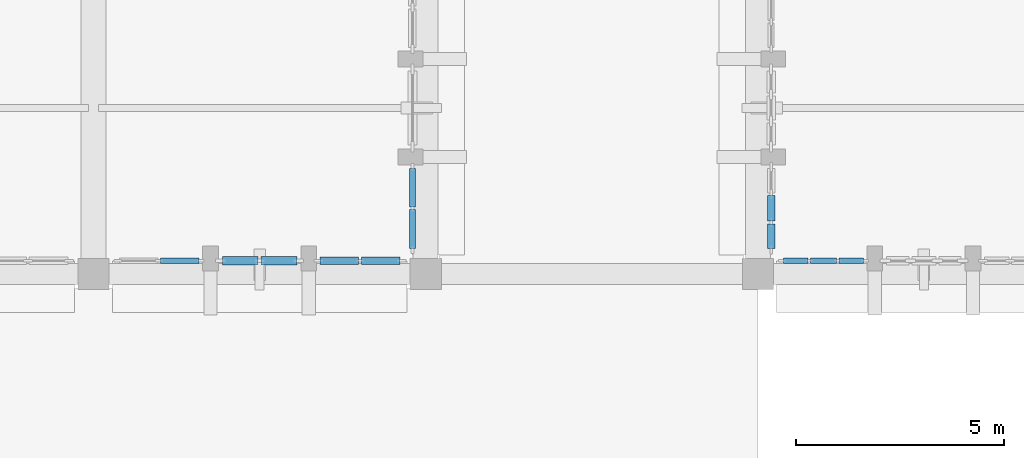
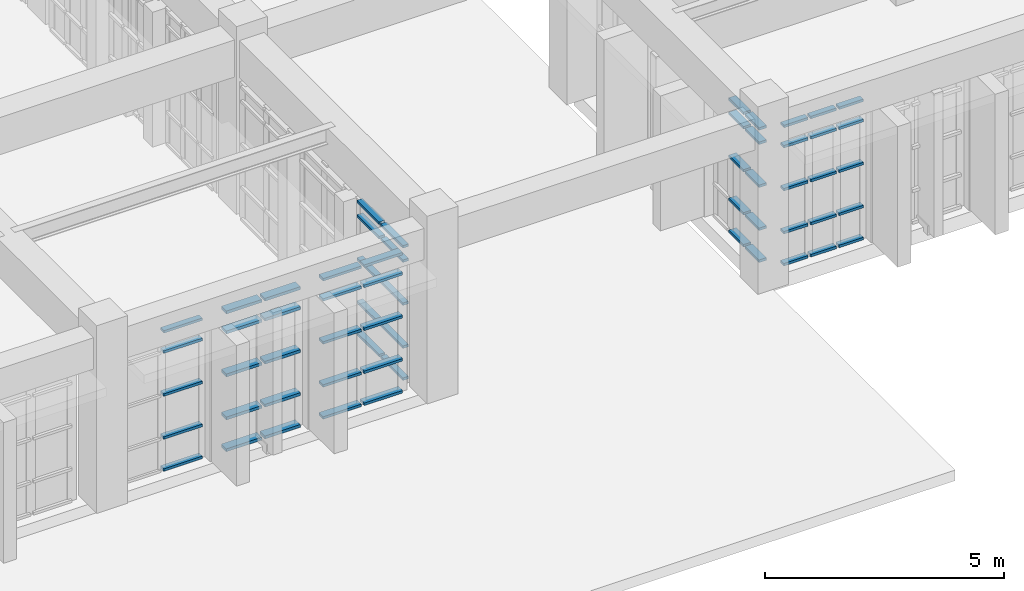
# One storey, part 51 of 155: 60 members, 6 elements without a shape of their own.
"""IFC4 building model written with IfcOpenShell, lengths in metres."""

from ifc_helpers import new_model, si_unit, direction, frame, origin, origin_2d, place, context, subcontext, project, spatial, rectangle, extrude, material, layer, layer_set, material_profile, profile_set, type_object, element, aggregate, save


model = new_model("IFC4")

# Units and contexts
model_context = context("Model", 3, precision=1e-05, world=origin(), true_north=direction((0.0, 1.0)))
body_context = subcontext(model_context, "Body", "Model", "MODEL_VIEW")
ifc_project = project(units=[si_unit("LENGTHUNIT", "METRE"), si_unit("AREAUNIT", "SQUARE_METRE"), si_unit("VOLUMEUNIT", "CUBIC_METRE"), si_unit("PLANEANGLEUNIT", "RADIAN"), si_unit("MASSUNIT", "GRAM", prefix="KILO")], contexts=[model_context])

# Site, building, storey
site_placement = place(None, origin())
site = spatial("IfcSite", under=ifc_project, at=site_placement, CompositionType="ELEMENT")
building_placement = place(site_placement, origin())
building = spatial("IfcBuilding", under=site, at=building_placement, Name="Tazarka Park Arena", CompositionType="ELEMENT")
storey_placement = place(building_placement, frame((0.0, 0.0, 5.39990234375)))
storey = spatial("IfcBuildingStorey", under=building, at=storey_placement, Name="L01", CompositionType="ELEMENT", Elevation=5.39990234375)

# Curtain wall, members
ifc_material_1 = material(Name="Aluminium and low-e glass", Category="aluminium")
ifc_layer_1 = layer(ifc_material_1, 0.179931640625, Name="Aluminium and low-e glass")
ifc_layer_set_1 = layer_set([ifc_layer_1], Name="Aluminium and low-e glass")
curtain_wall_type_1 = type_object("IfcCurtainWallType", Name="CW-06", PredefinedType="NOTDEFINED", material=ifc_layer_set_1)
curtain_wall_1_placement = place(storey_placement, origin())
curtain_wall_1 = element("IfcCurtainWall", 1, at=curtain_wall_1_placement, inside=storey, type_object=curtain_wall_type_1, Name="Curtain Wall CWA-L01-006", PredefinedType="NOTDEFINED")
ifc_material_2 = material(Name="Aluminium 6060-T66", Category="aluminium")
ifc_material_profile_1 = material_profile(ifc_material_2, rectangle(XDim=0.139892578125, YDim=0.06494140625, at=origin_2d()), Name="Aluminium 6060-T66")
ifc_profile_set_1 = profile_set([ifc_material_profile_1], Name="Aluminium 6060-T66")
member_type_1 = type_object("IfcMemberType", Name="CWT-01", PredefinedType="USERDEFINED", material=ifc_profile_set_1)
member_1_placement = place(storey_placement, frame((58.543212890625, 8.320068359375, 0.03271484375), z_axis=(-1.0, 0.0, 0.0), x_axis=(0.0, -1.0, 0.0)))
member_1 = element("IfcMember", 2, at=member_1_placement, type_object=member_type_1, Name="CW-06 transom 1.1", ObjectType="TRANSOM", PredefinedType="USERDEFINED", context=body_context, shape_type="SweptSolid", body=[
    extrude(rectangle(XDim=0.139892578125, YDim=0.06494140625, at=origin_2d()), origin(), (0.0, 0.0, 1.0), 0.5869140625),
])
member_2_placement = place(storey_placement, frame((58.543212890625, 8.320068359375, 0.85009765625), z_axis=(-1.0, 0.0, 0.0), x_axis=(0.0, -1.0, 0.0)))
member_2 = element("IfcMember", 3, at=member_2_placement, type_object=member_type_1, Name="CW-06 transom 1.2", ObjectType="TRANSOM", PredefinedType="USERDEFINED", context=body_context, shape_type="SweptSolid", body=[
    extrude(rectangle(XDim=0.139892578125, YDim=0.06494140625, at=origin_2d()), origin(), (0.0, 0.0, 1.0), 0.5869140625),
])
member_3_placement = place(storey_placement, frame((58.543212890625, 8.320068359375, 1.9501953125), z_axis=(-1.0, 0.0, 0.0), x_axis=(0.0, -1.0, 0.0)))
member_3 = element("IfcMember", 4, at=member_3_placement, type_object=member_type_1, Name="CW-06 transom 1.3", ObjectType="TRANSOM", PredefinedType="USERDEFINED", context=body_context, shape_type="SweptSolid", body=[
    extrude(rectangle(XDim=0.139892578125, YDim=0.06494140625, at=origin_2d()), origin(), (0.0, 0.0, 1.0), 0.5869140625),
])
member_4_placement = place(storey_placement, frame((58.543212890625, 8.320068359375, 3.050048828125), z_axis=(-1.0, 0.0, 0.0), x_axis=(0.0, -1.0, 0.0)))
member_4 = element("IfcMember", 5, at=member_4_placement, type_object=member_type_1, Name="CW-06 transom 1.4", ObjectType="TRANSOM", PredefinedType="USERDEFINED", context=body_context, shape_type="SweptSolid", body=[
    extrude(rectangle(XDim=0.139892578125, YDim=0.06494140625, at=origin_2d()), origin(), (0.0, 0.0, 1.0), 0.5869140625),
])
member_5_placement = place(storey_placement, frame((58.543212890625, 8.320068359375, 3.567626953125), z_axis=(-1.0, 0.0, 0.0), x_axis=(0.0, -1.0, 0.0)))
member_5 = element("IfcMember", 6, at=member_5_placement, type_object=member_type_1, Name="CW-06 transom 1.5", ObjectType="TRANSOM", PredefinedType="USERDEFINED", context=body_context, shape_type="SweptSolid", body=[
    extrude(rectangle(XDim=0.139892578125, YDim=0.06494140625, at=origin_2d()), origin(), (0.0, 0.0, 1.0), 0.5869140625),
])
member_6_placement = place(storey_placement, frame((57.891357421875, 8.320068359375, 0.03271484375), z_axis=(-1.0, 0.0, 0.0), x_axis=(0.0, -1.0, 0.0)))
member_6 = element("IfcMember", 7, at=member_6_placement, type_object=member_type_1, Name="CW-06 transom 2.1", ObjectType="TRANSOM", PredefinedType="USERDEFINED", context=body_context, shape_type="SweptSolid", body=[
    extrude(rectangle(XDim=0.139892578125, YDim=0.06494140625, at=origin_2d()), origin(), (0.0, 0.0, 1.0), 0.619384765625),
])
member_7_placement = place(storey_placement, frame((57.891357421875, 8.320068359375, 0.85009765625), z_axis=(-1.0, 0.0, 0.0), x_axis=(0.0, -1.0, 0.0)))
member_7 = element("IfcMember", 8, at=member_7_placement, type_object=member_type_1, Name="CW-06 transom 2.2", ObjectType="TRANSOM", PredefinedType="USERDEFINED", context=body_context, shape_type="SweptSolid", body=[
    extrude(rectangle(XDim=0.139892578125, YDim=0.06494140625, at=origin_2d()), origin(), (0.0, 0.0, 1.0), 0.619384765625),
])
member_8_placement = place(storey_placement, frame((57.891357421875, 8.320068359375, 1.9501953125), z_axis=(-1.0, 0.0, 0.0), x_axis=(0.0, -1.0, 0.0)))
member_8 = element("IfcMember", 9, at=member_8_placement, type_object=member_type_1, Name="CW-06 transom 2.3", ObjectType="TRANSOM", PredefinedType="USERDEFINED", context=body_context, shape_type="SweptSolid", body=[
    extrude(rectangle(XDim=0.139892578125, YDim=0.06494140625, at=origin_2d()), origin(), (0.0, 0.0, 1.0), 0.619384765625),
])
member_9_placement = place(storey_placement, frame((57.891357421875, 8.320068359375, 3.050048828125), z_axis=(-1.0, 0.0, 0.0), x_axis=(0.0, -1.0, 0.0)))
member_9 = element("IfcMember", 10, at=member_9_placement, type_object=member_type_1, Name="CW-06 transom 2.4", ObjectType="TRANSOM", PredefinedType="USERDEFINED", context=body_context, shape_type="SweptSolid", body=[
    extrude(rectangle(XDim=0.139892578125, YDim=0.06494140625, at=origin_2d()), origin(), (0.0, 0.0, 1.0), 0.619384765625),
])
member_10_placement = place(storey_placement, frame((57.891357421875, 8.320068359375, 3.567626953125), z_axis=(-1.0, 0.0, 0.0), x_axis=(0.0, -1.0, 0.0)))
member_10 = element("IfcMember", 11, at=member_10_placement, type_object=member_type_1, Name="CW-06 transom 2.5", ObjectType="TRANSOM", PredefinedType="USERDEFINED", context=body_context, shape_type="SweptSolid", body=[
    extrude(rectangle(XDim=0.139892578125, YDim=0.06494140625, at=origin_2d()), origin(), (0.0, 0.0, 1.0), 0.619384765625),
])
member_11_placement = place(storey_placement, frame((57.20703125, 8.320068359375, 0.03271484375), z_axis=(-1.0, 0.0, 0.0), x_axis=(0.0, -1.0, 0.0)))
member_11 = element("IfcMember", 12, at=member_11_placement, type_object=member_type_1, Name="CW-06 transom 3.1", ObjectType="TRANSOM", PredefinedType="USERDEFINED", context=body_context, shape_type="SweptSolid", body=[
    extrude(rectangle(XDim=0.139892578125, YDim=0.06494140625, at=origin_2d()), origin(), (0.0, 0.0, 1.0), 0.5869140625),
])
member_12_placement = place(storey_placement, frame((57.20703125, 8.320068359375, 0.85009765625), z_axis=(-1.0, 0.0, 0.0), x_axis=(0.0, -1.0, 0.0)))
member_12 = element("IfcMember", 13, at=member_12_placement, type_object=member_type_1, Name="CW-06 transom 3.2", ObjectType="TRANSOM", PredefinedType="USERDEFINED", context=body_context, shape_type="SweptSolid", body=[
    extrude(rectangle(XDim=0.139892578125, YDim=0.06494140625, at=origin_2d()), origin(), (0.0, 0.0, 1.0), 0.5869140625),
])
member_13_placement = place(storey_placement, frame((57.20703125, 8.320068359375, 1.9501953125), z_axis=(-1.0, 0.0, 0.0), x_axis=(0.0, -1.0, 0.0)))
member_13 = element("IfcMember", 14, at=member_13_placement, type_object=member_type_1, Name="CW-06 transom 3.3", ObjectType="TRANSOM", PredefinedType="USERDEFINED", context=body_context, shape_type="SweptSolid", body=[
    extrude(rectangle(XDim=0.139892578125, YDim=0.06494140625, at=origin_2d()), origin(), (0.0, 0.0, 1.0), 0.5869140625),
])
member_14_placement = place(storey_placement, frame((57.20703125, 8.320068359375, 3.050048828125), z_axis=(-1.0, 0.0, 0.0), x_axis=(0.0, -1.0, 0.0)))
member_14 = element("IfcMember", 15, at=member_14_placement, type_object=member_type_1, Name="CW-06 transom 3.4", ObjectType="TRANSOM", PredefinedType="USERDEFINED", context=body_context, shape_type="SweptSolid", body=[
    extrude(rectangle(XDim=0.139892578125, YDim=0.06494140625, at=origin_2d()), origin(), (0.0, 0.0, 1.0), 0.5869140625),
])
member_15_placement = place(storey_placement, frame((57.20703125, 8.320068359375, 3.567626953125), z_axis=(-1.0, 0.0, 0.0), x_axis=(0.0, -1.0, 0.0)))
member_15 = element("IfcMember", 16, at=member_15_placement, type_object=member_type_1, Name="CW-06 transom 3.5", ObjectType="TRANSOM", PredefinedType="USERDEFINED", context=body_context, shape_type="SweptSolid", body=[
    extrude(rectangle(XDim=0.139892578125, YDim=0.06494140625, at=origin_2d()), origin(), (0.0, 0.0, 1.0), 0.5869140625),
])
aggregate(curtain_wall_1, [member_1, member_2, member_3, member_4, member_5, member_6, member_7, member_8, member_9, member_10, member_11, member_12, member_13, member_14, member_15])

ifc_material_3 = material(Name="Aluminium and low-e glass", Category="aluminium")
ifc_layer_2 = layer(ifc_material_3, 0.179931640625, Name="Aluminium and low-e glass")
ifc_layer_set_2 = layer_set([ifc_layer_2], Name="Aluminium and low-e glass")
curtain_wall_type_2 = type_object("IfcCurtainWallType", Name="CW-27", PredefinedType="NOTDEFINED", material=ifc_layer_set_2)
curtain_wall_2_placement = place(storey_placement, origin())
curtain_wall_2 = element("IfcCurtainWall", 17, at=curtain_wall_2_placement, inside=storey, type_object=curtain_wall_type_2, Name="Curtain Wall CWA-L01-087", PredefinedType="NOTDEFINED")
member_16_placement = place(storey_placement, frame((42.543212890625, 8.320068359375, 0.03271484375), z_axis=(-1.0, 0.0, 0.0), x_axis=(0.0, -1.0, 0.0)))
member_16 = element("IfcMember", 18, at=member_16_placement, type_object=member_type_1, Name="CW-27 transom 1.1", ObjectType="TRANSOM", PredefinedType="USERDEFINED", context=body_context, shape_type="SweptSolid", body=[
    extrude(rectangle(XDim=0.139892578125, YDim=0.06494140625, at=origin_2d()), origin(), (0.0, 0.0, 1.0), 0.928955078125),
])
member_17_placement = place(storey_placement, frame((42.543212890625, 8.320068359375, 0.85009765625), z_axis=(-1.0, 0.0, 0.0), x_axis=(0.0, -1.0, 0.0)))
member_17 = element("IfcMember", 19, at=member_17_placement, type_object=member_type_1, Name="CW-27 transom 1.2", ObjectType="TRANSOM", PredefinedType="USERDEFINED", context=body_context, shape_type="SweptSolid", body=[
    extrude(rectangle(XDim=0.139892578125, YDim=0.06494140625, at=origin_2d()), origin(), (0.0, 0.0, 1.0), 0.928955078125),
])
member_18_placement = place(storey_placement, frame((42.543212890625, 8.320068359375, 1.9501953125), z_axis=(-1.0, 0.0, 0.0), x_axis=(0.0, -1.0, 0.0)))
member_18 = element("IfcMember", 20, at=member_18_placement, type_object=member_type_1, Name="CW-27 transom 1.3", ObjectType="TRANSOM", PredefinedType="USERDEFINED", context=body_context, shape_type="SweptSolid", body=[
    extrude(rectangle(XDim=0.139892578125, YDim=0.06494140625, at=origin_2d()), origin(), (0.0, 0.0, 1.0), 0.928955078125),
])
member_19_placement = place(storey_placement, frame((42.543212890625, 8.320068359375, 3.050048828125), z_axis=(-1.0, 0.0, 0.0), x_axis=(0.0, -1.0, 0.0)))
member_19 = element("IfcMember", 21, at=member_19_placement, type_object=member_type_1, Name="CW-27 transom 1.4", ObjectType="TRANSOM", PredefinedType="USERDEFINED", context=body_context, shape_type="SweptSolid", body=[
    extrude(rectangle(XDim=0.139892578125, YDim=0.06494140625, at=origin_2d()), origin(), (0.0, 0.0, 1.0), 0.928955078125),
])
member_20_placement = place(storey_placement, frame((42.543212890625, 8.320068359375, 3.567626953125), z_axis=(-1.0, 0.0, 0.0), x_axis=(0.0, -1.0, 0.0)))
member_20 = element("IfcMember", 22, at=member_20_placement, type_object=member_type_1, Name="CW-27 transom 1.5", ObjectType="TRANSOM", PredefinedType="USERDEFINED", context=body_context, shape_type="SweptSolid", body=[
    extrude(rectangle(XDim=0.139892578125, YDim=0.06494140625, at=origin_2d()), origin(), (0.0, 0.0, 1.0), 0.928955078125),
])
aggregate(curtain_wall_2, [member_16, member_17, member_18, member_19, member_20])

ifc_material_4 = material(Name="Aluminium and low-e glass", Category="aluminium")
ifc_layer_3 = layer(ifc_material_4, 0.179931640625, Name="Aluminium and low-e glass")
ifc_layer_set_3 = layer_set([ifc_layer_3], Name="Aluminium and low-e glass")
curtain_wall_type_3 = type_object("IfcCurtainWallType", Name="CW-30", PredefinedType="NOTDEFINED", material=ifc_layer_set_3)
curtain_wall_3_placement = place(storey_placement, origin())
curtain_wall_3 = element("IfcCurtainWall", 23, at=curtain_wall_3_placement, inside=storey, type_object=curtain_wall_type_3, Name="Curtain Wall CWA-L01-090", PredefinedType="NOTDEFINED")
member_21_placement = place(storey_placement, frame((47.679931640625, 10.543212890625, 0.03271484375), z_axis=(0.0, -1.0, 0.0), x_axis=(1.0, 0.0, 0.0)))
member_21 = element("IfcMember", 24, at=member_21_placement, type_object=member_type_1, Name="CW-30 transom 1.1", ObjectType="TRANSOM", PredefinedType="USERDEFINED", context=body_context, shape_type="SweptSolid", body=[
    extrude(rectangle(XDim=0.139892578125, YDim=0.06494140625, at=origin_2d()), origin(), (0.0, 0.0, 1.0), 0.928955078125),
])
member_22_placement = place(storey_placement, frame((47.679931640625, 10.543212890625, 0.85009765625), z_axis=(0.0, -1.0, 0.0), x_axis=(1.0, 0.0, 0.0)))
member_22 = element("IfcMember", 25, at=member_22_placement, type_object=member_type_1, Name="CW-30 transom 1.2", ObjectType="TRANSOM", PredefinedType="USERDEFINED", context=body_context, shape_type="SweptSolid", body=[
    extrude(rectangle(XDim=0.139892578125, YDim=0.06494140625, at=origin_2d()), origin(), (0.0, 0.0, 1.0), 0.928955078125),
])
member_23_placement = place(storey_placement, frame((47.679931640625, 10.543212890625, 1.9501953125), z_axis=(0.0, -1.0, 0.0), x_axis=(1.0, 0.0, 0.0)))
member_23 = element("IfcMember", 26, at=member_23_placement, type_object=member_type_1, Name="CW-30 transom 1.3", ObjectType="TRANSOM", PredefinedType="USERDEFINED", context=body_context, shape_type="SweptSolid", body=[
    extrude(rectangle(XDim=0.139892578125, YDim=0.06494140625, at=origin_2d()), origin(), (0.0, 0.0, 1.0), 0.928955078125),
])
member_24_placement = place(storey_placement, frame((47.679931640625, 10.543212890625, 3.050048828125), z_axis=(0.0, -1.0, 0.0), x_axis=(1.0, 0.0, 0.0)))
member_24 = element("IfcMember", 27, at=member_24_placement, type_object=member_type_1, Name="CW-30 transom 1.4", ObjectType="TRANSOM", PredefinedType="USERDEFINED", context=body_context, shape_type="SweptSolid", body=[
    extrude(rectangle(XDim=0.139892578125, YDim=0.06494140625, at=origin_2d()), origin(), (0.0, 0.0, 1.0), 0.928955078125),
])
member_25_placement = place(storey_placement, frame((47.679931640625, 10.543212890625, 3.41748046875), z_axis=(0.0, -1.0, 0.0), x_axis=(1.0, 0.0, 0.0)))
member_25 = element("IfcMember", 28, at=member_25_placement, type_object=member_type_1, Name="CW-30 transom 1.5", ObjectType="TRANSOM", PredefinedType="USERDEFINED", context=body_context, shape_type="SweptSolid", body=[
    extrude(rectangle(XDim=0.139892578125, YDim=0.06494140625, at=origin_2d()), origin(), (0.0, 0.0, 1.0), 0.928955078125),
])
member_26_placement = place(storey_placement, frame((47.679931640625, 9.549072265625, 0.03271484375), z_axis=(0.0, -1.0, 0.0), x_axis=(1.0, 0.0, 0.0)))
member_26 = element("IfcMember", 29, at=member_26_placement, type_object=member_type_1, Name="CW-30 transom 2.1", ObjectType="TRANSOM", PredefinedType="USERDEFINED", context=body_context, shape_type="SweptSolid", body=[
    extrude(rectangle(XDim=0.139892578125, YDim=0.06494140625, at=origin_2d()), origin(), (0.0, 0.0, 1.0), 0.928955078125),
])
member_27_placement = place(storey_placement, frame((47.679931640625, 9.549072265625, 0.85009765625), z_axis=(0.0, -1.0, 0.0), x_axis=(1.0, 0.0, 0.0)))
member_27 = element("IfcMember", 30, at=member_27_placement, type_object=member_type_1, Name="CW-30 transom 2.2", ObjectType="TRANSOM", PredefinedType="USERDEFINED", context=body_context, shape_type="SweptSolid", body=[
    extrude(rectangle(XDim=0.139892578125, YDim=0.06494140625, at=origin_2d()), origin(), (0.0, 0.0, 1.0), 0.928955078125),
])
member_28_placement = place(storey_placement, frame((47.679931640625, 9.549072265625, 1.9501953125), z_axis=(0.0, -1.0, 0.0), x_axis=(1.0, 0.0, 0.0)))
member_28 = element("IfcMember", 31, at=member_28_placement, type_object=member_type_1, Name="CW-30 transom 2.3", ObjectType="TRANSOM", PredefinedType="USERDEFINED", context=body_context, shape_type="SweptSolid", body=[
    extrude(rectangle(XDim=0.139892578125, YDim=0.06494140625, at=origin_2d()), origin(), (0.0, 0.0, 1.0), 0.928955078125),
])
member_29_placement = place(storey_placement, frame((47.679931640625, 9.549072265625, 3.050048828125), z_axis=(0.0, -1.0, 0.0), x_axis=(1.0, 0.0, 0.0)))
member_29 = element("IfcMember", 32, at=member_29_placement, type_object=member_type_1, Name="CW-30 transom 2.4", ObjectType="TRANSOM", PredefinedType="USERDEFINED", context=body_context, shape_type="SweptSolid", body=[
    extrude(rectangle(XDim=0.139892578125, YDim=0.06494140625, at=origin_2d()), origin(), (0.0, 0.0, 1.0), 0.928955078125),
])
member_30_placement = place(storey_placement, frame((47.679931640625, 9.549072265625, 3.41748046875), z_axis=(0.0, -1.0, 0.0), x_axis=(1.0, 0.0, 0.0)))
member_30 = element("IfcMember", 33, at=member_30_placement, type_object=member_type_1, Name="CW-30 transom 2.5", ObjectType="TRANSOM", PredefinedType="USERDEFINED", context=body_context, shape_type="SweptSolid", body=[
    extrude(rectangle(XDim=0.139892578125, YDim=0.06494140625, at=origin_2d()), origin(), (0.0, 0.0, 1.0), 0.928955078125),
])
aggregate(curtain_wall_3, [member_21, member_22, member_23, member_24, member_25, member_26, member_27, member_28, member_29, member_30])

ifc_material_5 = material(Name="Aluminium and low-e glass", Category="aluminium")
ifc_layer_4 = layer(ifc_material_5, 0.179931640625, Name="Aluminium and low-e glass")
ifc_layer_set_4 = layer_set([ifc_layer_4], Name="Aluminium and low-e glass")
curtain_wall_type_4 = type_object("IfcCurtainWallType", Name="CW-01", PredefinedType="NOTDEFINED", material=ifc_layer_set_4)
curtain_wall_4_placement = place(storey_placement, origin())
curtain_wall_4 = element("IfcCurtainWall", 34, at=curtain_wall_4_placement, inside=storey, type_object=curtain_wall_type_4, Name="Curtain Wall CWA-L01-001", PredefinedType="NOTDEFINED")
ifc_material_6 = material(Name="Aluminium 6060-T66", Category="aluminium")
ifc_material_profile_2 = material_profile(ifc_material_6, rectangle(XDim=0.179931640625, YDim=0.06494140625, at=origin_2d()), Name="Aluminium 6060-T66")
ifc_profile_set_2 = profile_set([ifc_material_profile_2], Name="Aluminium 6060-T66")
member_type_2 = type_object("IfcMemberType", Name="CWT-02", PredefinedType="USERDEFINED", material=ifc_profile_set_2)
member_31_placement = place(storey_placement, frame((56.320068359375, 8.6201171875, 0.03271484375), z_axis=(0.0, 1.0, 0.0), x_axis=(-1.0, 0.0, 0.0)))
member_31 = element("IfcMember", 35, at=member_31_placement, type_object=member_type_2, Name="CW-01 transom 1.1", ObjectType="TRANSOM", PredefinedType="USERDEFINED", context=body_context, shape_type="SweptSolid", body=[
    extrude(rectangle(XDim=0.179931640625, YDim=0.06494140625, at=origin_2d()), origin(), (0.0, 0.0, 1.0), 0.5869140625),
])
member_32_placement = place(storey_placement, frame((56.320068359375, 8.6201171875, 0.85009765625), z_axis=(0.0, 1.0, 0.0), x_axis=(-1.0, 0.0, 0.0)))
member_32 = element("IfcMember", 36, at=member_32_placement, type_object=member_type_2, Name="CW-01 transom 1.2", ObjectType="TRANSOM", PredefinedType="USERDEFINED", context=body_context, shape_type="SweptSolid", body=[
    extrude(rectangle(XDim=0.179931640625, YDim=0.06494140625, at=origin_2d()), origin(), (0.0, 0.0, 1.0), 0.5869140625),
])
member_33_placement = place(storey_placement, frame((56.320068359375, 8.6201171875, 1.9501953125), z_axis=(0.0, 1.0, 0.0), x_axis=(-1.0, 0.0, 0.0)))
member_33 = element("IfcMember", 37, at=member_33_placement, type_object=member_type_2, Name="CW-01 transom 1.3", ObjectType="TRANSOM", PredefinedType="USERDEFINED", context=body_context, shape_type="SweptSolid", body=[
    extrude(rectangle(XDim=0.179931640625, YDim=0.06494140625, at=origin_2d()), origin(), (0.0, 0.0, 1.0), 0.5869140625),
])
member_34_placement = place(storey_placement, frame((56.320068359375, 8.6201171875, 3.050048828125), z_axis=(0.0, 1.0, 0.0), x_axis=(-1.0, 0.0, 0.0)))
member_34 = element("IfcMember", 38, at=member_34_placement, type_object=member_type_2, Name="CW-01 transom 1.4", ObjectType="TRANSOM", PredefinedType="USERDEFINED", context=body_context, shape_type="SweptSolid", body=[
    extrude(rectangle(XDim=0.179931640625, YDim=0.06494140625, at=origin_2d()), origin(), (0.0, 0.0, 1.0), 0.5869140625),
])
member_35_placement = place(storey_placement, frame((56.320068359375, 8.6201171875, 3.41748046875), z_axis=(0.0, 1.0, 0.0), x_axis=(-1.0, 0.0, 0.0)))
member_35 = element("IfcMember", 39, at=member_35_placement, type_object=member_type_2, Name="CW-01 transom 1.5", ObjectType="TRANSOM", PredefinedType="USERDEFINED", context=body_context, shape_type="SweptSolid", body=[
    extrude(rectangle(XDim=0.179931640625, YDim=0.06494140625, at=origin_2d()), origin(), (0.0, 0.0, 1.0), 0.5869140625),
])
member_36_placement = place(storey_placement, frame((56.320068359375, 9.27197265625, 0.03271484375), z_axis=(0.0, 1.0, 0.0), x_axis=(-1.0, 0.0, 0.0)))
member_36 = element("IfcMember", 40, at=member_36_placement, type_object=member_type_2, Name="CW-01 transom 2.1", ObjectType="TRANSOM", PredefinedType="USERDEFINED", context=body_context, shape_type="SweptSolid", body=[
    extrude(rectangle(XDim=0.179931640625, YDim=0.06494140625, at=origin_2d()), origin(), (0.0, 0.0, 1.0), 0.619384765625),
])
member_37_placement = place(storey_placement, frame((56.320068359375, 9.27197265625, 0.85009765625), z_axis=(0.0, 1.0, 0.0), x_axis=(-1.0, 0.0, 0.0)))
member_37 = element("IfcMember", 41, at=member_37_placement, type_object=member_type_2, Name="CW-01 transom 2.2", ObjectType="TRANSOM", PredefinedType="USERDEFINED", context=body_context, shape_type="SweptSolid", body=[
    extrude(rectangle(XDim=0.179931640625, YDim=0.06494140625, at=origin_2d()), origin(), (0.0, 0.0, 1.0), 0.619384765625),
])
member_38_placement = place(storey_placement, frame((56.320068359375, 9.27197265625, 1.9501953125), z_axis=(0.0, 1.0, 0.0), x_axis=(-1.0, 0.0, 0.0)))
member_38 = element("IfcMember", 42, at=member_38_placement, type_object=member_type_2, Name="CW-01 transom 2.3", ObjectType="TRANSOM", PredefinedType="USERDEFINED", context=body_context, shape_type="SweptSolid", body=[
    extrude(rectangle(XDim=0.179931640625, YDim=0.06494140625, at=origin_2d()), origin(), (0.0, 0.0, 1.0), 0.619384765625),
])
member_39_placement = place(storey_placement, frame((56.320068359375, 9.27197265625, 3.050048828125), z_axis=(0.0, 1.0, 0.0), x_axis=(-1.0, 0.0, 0.0)))
member_39 = element("IfcMember", 43, at=member_39_placement, type_object=member_type_2, Name="CW-01 transom 2.4", ObjectType="TRANSOM", PredefinedType="USERDEFINED", context=body_context, shape_type="SweptSolid", body=[
    extrude(rectangle(XDim=0.179931640625, YDim=0.06494140625, at=origin_2d()), origin(), (0.0, 0.0, 1.0), 0.619384765625),
])
member_40_placement = place(storey_placement, frame((56.320068359375, 9.27197265625, 3.41748046875), z_axis=(0.0, 1.0, 0.0), x_axis=(-1.0, 0.0, 0.0)))
member_40 = element("IfcMember", 44, at=member_40_placement, type_object=member_type_2, Name="CW-01 transom 2.5", ObjectType="TRANSOM", PredefinedType="USERDEFINED", context=body_context, shape_type="SweptSolid", body=[
    extrude(rectangle(XDim=0.179931640625, YDim=0.06494140625, at=origin_2d()), origin(), (0.0, 0.0, 1.0), 0.619384765625),
])
aggregate(curtain_wall_4, [member_31, member_32, member_33, member_34, member_35, member_36, member_37, member_38, member_39, member_40])

ifc_material_7 = material(Name="Aluminium and low-e glass", Category="aluminium")
ifc_layer_5 = layer(ifc_material_7, 0.179931640625, Name="Aluminium and low-e glass")
ifc_layer_set_5 = layer_set([ifc_layer_5], Name="Aluminium and low-e glass")
curtain_wall_type_5 = type_object("IfcCurtainWallType", Name="CW-25", PredefinedType="NOTDEFINED", material=ifc_layer_set_5)
curtain_wall_5_placement = place(storey_placement, origin())
curtain_wall_5 = element("IfcCurtainWall", 45, at=curtain_wall_5_placement, inside=storey, type_object=curtain_wall_type_5, Name="Curtain Wall CWA-L01-085", PredefinedType="NOTDEFINED")
member_41_placement = place(storey_placement, frame((47.3798828125, 8.320068359375, 0.03271484375), z_axis=(-1.0, 0.0, 0.0), x_axis=(0.0, -1.0, 0.0)))
member_41 = element("IfcMember", 46, at=member_41_placement, type_object=member_type_2, Name="CW-25 transom 1.1", ObjectType="TRANSOM", PredefinedType="USERDEFINED", context=body_context, shape_type="SweptSolid", body=[
    extrude(rectangle(XDim=0.179931640625, YDim=0.06494140625, at=origin_2d()), origin(), (0.0, 0.0, 1.0), 0.928955078125),
])
member_42_placement = place(storey_placement, frame((47.3798828125, 8.320068359375, 0.85009765625), z_axis=(-1.0, 0.0, 0.0), x_axis=(0.0, -1.0, 0.0)))
member_42 = element("IfcMember", 47, at=member_42_placement, type_object=member_type_2, Name="CW-25 transom 1.2", ObjectType="TRANSOM", PredefinedType="USERDEFINED", context=body_context, shape_type="SweptSolid", body=[
    extrude(rectangle(XDim=0.179931640625, YDim=0.06494140625, at=origin_2d()), origin(), (0.0, 0.0, 1.0), 0.928955078125),
])
member_43_placement = place(storey_placement, frame((47.3798828125, 8.320068359375, 1.9501953125), z_axis=(-1.0, 0.0, 0.0), x_axis=(0.0, -1.0, 0.0)))
member_43 = element("IfcMember", 48, at=member_43_placement, type_object=member_type_2, Name="CW-25 transom 1.3", ObjectType="TRANSOM", PredefinedType="USERDEFINED", context=body_context, shape_type="SweptSolid", body=[
    extrude(rectangle(XDim=0.179931640625, YDim=0.06494140625, at=origin_2d()), origin(), (0.0, 0.0, 1.0), 0.928955078125),
])
member_44_placement = place(storey_placement, frame((47.3798828125, 8.320068359375, 3.050048828125), z_axis=(-1.0, 0.0, 0.0), x_axis=(0.0, -1.0, 0.0)))
member_44 = element("IfcMember", 49, at=member_44_placement, type_object=member_type_2, Name="CW-25 transom 1.4", ObjectType="TRANSOM", PredefinedType="USERDEFINED", context=body_context, shape_type="SweptSolid", body=[
    extrude(rectangle(XDim=0.179931640625, YDim=0.06494140625, at=origin_2d()), origin(), (0.0, 0.0, 1.0), 0.928955078125),
])
member_45_placement = place(storey_placement, frame((47.3798828125, 8.320068359375, 3.567626953125), z_axis=(-1.0, 0.0, 0.0), x_axis=(0.0, -1.0, 0.0)))
member_45 = element("IfcMember", 50, at=member_45_placement, type_object=member_type_2, Name="CW-25 transom 1.5", ObjectType="TRANSOM", PredefinedType="USERDEFINED", context=body_context, shape_type="SweptSolid", body=[
    extrude(rectangle(XDim=0.179931640625, YDim=0.06494140625, at=origin_2d()), origin(), (0.0, 0.0, 1.0), 0.928955078125),
])
member_46_placement = place(storey_placement, frame((46.3857421875, 8.320068359375, 0.03271484375), z_axis=(-1.0, 0.0, 0.0), x_axis=(0.0, -1.0, 0.0)))
member_46 = element("IfcMember", 51, at=member_46_placement, type_object=member_type_2, Name="CW-25 transom 2.1", ObjectType="TRANSOM", PredefinedType="USERDEFINED", context=body_context, shape_type="SweptSolid", body=[
    extrude(rectangle(XDim=0.179931640625, YDim=0.06494140625, at=origin_2d()), origin(), (0.0, 0.0, 1.0), 0.928955078125),
])
member_47_placement = place(storey_placement, frame((46.3857421875, 8.320068359375, 0.85009765625), z_axis=(-1.0, 0.0, 0.0), x_axis=(0.0, -1.0, 0.0)))
member_47 = element("IfcMember", 52, at=member_47_placement, type_object=member_type_2, Name="CW-25 transom 2.2", ObjectType="TRANSOM", PredefinedType="USERDEFINED", context=body_context, shape_type="SweptSolid", body=[
    extrude(rectangle(XDim=0.179931640625, YDim=0.06494140625, at=origin_2d()), origin(), (0.0, 0.0, 1.0), 0.928955078125),
])
member_48_placement = place(storey_placement, frame((46.3857421875, 8.320068359375, 1.9501953125), z_axis=(-1.0, 0.0, 0.0), x_axis=(0.0, -1.0, 0.0)))
member_48 = element("IfcMember", 53, at=member_48_placement, type_object=member_type_2, Name="CW-25 transom 2.3", ObjectType="TRANSOM", PredefinedType="USERDEFINED", context=body_context, shape_type="SweptSolid", body=[
    extrude(rectangle(XDim=0.179931640625, YDim=0.06494140625, at=origin_2d()), origin(), (0.0, 0.0, 1.0), 0.928955078125),
])
member_49_placement = place(storey_placement, frame((46.3857421875, 8.320068359375, 3.050048828125), z_axis=(-1.0, 0.0, 0.0), x_axis=(0.0, -1.0, 0.0)))
member_49 = element("IfcMember", 54, at=member_49_placement, type_object=member_type_2, Name="CW-25 transom 2.4", ObjectType="TRANSOM", PredefinedType="USERDEFINED", context=body_context, shape_type="SweptSolid", body=[
    extrude(rectangle(XDim=0.179931640625, YDim=0.06494140625, at=origin_2d()), origin(), (0.0, 0.0, 1.0), 0.928955078125),
])
member_50_placement = place(storey_placement, frame((46.3857421875, 8.320068359375, 3.567626953125), z_axis=(-1.0, 0.0, 0.0), x_axis=(0.0, -1.0, 0.0)))
member_50 = element("IfcMember", 55, at=member_50_placement, type_object=member_type_2, Name="CW-25 transom 2.5", ObjectType="TRANSOM", PredefinedType="USERDEFINED", context=body_context, shape_type="SweptSolid", body=[
    extrude(rectangle(XDim=0.179931640625, YDim=0.06494140625, at=origin_2d()), origin(), (0.0, 0.0, 1.0), 0.928955078125),
])
aggregate(curtain_wall_5, [member_41, member_42, member_43, member_44, member_45, member_46, member_47, member_48, member_49, member_50])

ifc_material_8 = material(Name="Aluminium and low-e glass", Category="aluminium")
ifc_layer_6 = layer(ifc_material_8, 0.179931640625, Name="Aluminium and low-e glass")
ifc_layer_set_6 = layer_set([ifc_layer_6], Name="Aluminium and low-e glass")
curtain_wall_type_6 = type_object("IfcCurtainWallType", Name="CW-26", PredefinedType="NOTDEFINED", material=ifc_layer_set_6)
curtain_wall_6_placement = place(storey_placement, origin())
curtain_wall_6 = element("IfcCurtainWall", 56, at=curtain_wall_6_placement, inside=storey, type_object=curtain_wall_type_6, Name="Curtain Wall CWA-L01-086", PredefinedType="NOTDEFINED")
ifc_material_9 = material(Name="Aluminium 6060-T66", Category="aluminium")
ifc_material_profile_3 = material_profile(ifc_material_9, rectangle(XDim=0.2099609375, YDim=0.074951171875, at=origin_2d()), Name="Aluminium 6060-T66")
ifc_profile_set_3 = profile_set([ifc_material_profile_3], Name="Aluminium 6060-T66")
member_type_3 = type_object("IfcMemberType", Name="CWT-03", PredefinedType="USERDEFINED", material=ifc_profile_set_3)
member_51_placement = place(storey_placement, frame((44.896728515625, 8.320068359375, 0.03759765625), z_axis=(-1.0, 0.0, 0.0), x_axis=(0.0, -1.0, 0.0)))
member_51 = element("IfcMember", 57, at=member_51_placement, type_object=member_type_3, Name="CW-26 transom 1.1", ObjectType="TRANSOM", PredefinedType="USERDEFINED", context=body_context, shape_type="SweptSolid", body=[
    extrude(rectangle(XDim=0.2099609375, YDim=0.074951171875, at=origin_2d()), origin(), (0.0, 0.0, 1.0), 0.859130859375),
])
member_52_placement = place(storey_placement, frame((44.896728515625, 8.320068359375, 0.85009765625), z_axis=(-1.0, 0.0, 0.0), x_axis=(0.0, -1.0, 0.0)))
member_52 = element("IfcMember", 58, at=member_52_placement, type_object=member_type_3, Name="CW-26 transom 1.2", ObjectType="TRANSOM", PredefinedType="USERDEFINED", context=body_context, shape_type="SweptSolid", body=[
    extrude(rectangle(XDim=0.2099609375, YDim=0.074951171875, at=origin_2d()), origin(), (0.0, 0.0, 1.0), 0.859130859375),
])
member_53_placement = place(storey_placement, frame((44.896728515625, 8.320068359375, 1.9501953125), z_axis=(-1.0, 0.0, 0.0), x_axis=(0.0, -1.0, 0.0)))
member_53 = element("IfcMember", 59, at=member_53_placement, type_object=member_type_3, Name="CW-26 transom 1.3", ObjectType="TRANSOM", PredefinedType="USERDEFINED", context=body_context, shape_type="SweptSolid", body=[
    extrude(rectangle(XDim=0.2099609375, YDim=0.074951171875, at=origin_2d()), origin(), (0.0, 0.0, 1.0), 0.859130859375),
])
member_54_placement = place(storey_placement, frame((44.896728515625, 8.320068359375, 3.050048828125), z_axis=(-1.0, 0.0, 0.0), x_axis=(0.0, -1.0, 0.0)))
member_54 = element("IfcMember", 60, at=member_54_placement, type_object=member_type_3, Name="CW-26 transom 1.4", ObjectType="TRANSOM", PredefinedType="USERDEFINED", context=body_context, shape_type="SweptSolid", body=[
    extrude(rectangle(XDim=0.2099609375, YDim=0.074951171875, at=origin_2d()), origin(), (0.0, 0.0, 1.0), 0.859130859375),
])
member_55_placement = place(storey_placement, frame((44.896728515625, 8.320068359375, 3.5625), z_axis=(-1.0, 0.0, 0.0), x_axis=(0.0, -1.0, 0.0)))
member_55 = element("IfcMember", 61, at=member_55_placement, type_object=member_type_3, Name="CW-26 transom 1.5", ObjectType="TRANSOM", PredefinedType="USERDEFINED", context=body_context, shape_type="SweptSolid", body=[
    extrude(rectangle(XDim=0.2099609375, YDim=0.074951171875, at=origin_2d()), origin(), (0.0, 0.0, 1.0), 0.859130859375),
])
member_56_placement = place(storey_placement, frame((43.96240234375, 8.320068359375, 0.03759765625), z_axis=(-1.0, 0.0, 0.0), x_axis=(0.0, -1.0, 0.0)))
member_56 = element("IfcMember", 62, at=member_56_placement, type_object=member_type_3, Name="CW-26 transom 2.1", ObjectType="TRANSOM", PredefinedType="USERDEFINED", context=body_context, shape_type="SweptSolid", body=[
    extrude(rectangle(XDim=0.2099609375, YDim=0.074951171875, at=origin_2d()), origin(), (0.0, 0.0, 1.0), 0.859130859375),
])
member_57_placement = place(storey_placement, frame((43.96240234375, 8.320068359375, 0.85009765625), z_axis=(-1.0, 0.0, 0.0), x_axis=(0.0, -1.0, 0.0)))
member_57 = element("IfcMember", 63, at=member_57_placement, type_object=member_type_3, Name="CW-26 transom 2.2", ObjectType="TRANSOM", PredefinedType="USERDEFINED", context=body_context, shape_type="SweptSolid", body=[
    extrude(rectangle(XDim=0.2099609375, YDim=0.074951171875, at=origin_2d()), origin(), (0.0, 0.0, 1.0), 0.859130859375),
])
member_58_placement = place(storey_placement, frame((43.96240234375, 8.320068359375, 1.9501953125), z_axis=(-1.0, 0.0, 0.0), x_axis=(0.0, -1.0, 0.0)))
member_58 = element("IfcMember", 64, at=member_58_placement, type_object=member_type_3, Name="CW-26 transom 2.3", ObjectType="TRANSOM", PredefinedType="USERDEFINED", context=body_context, shape_type="SweptSolid", body=[
    extrude(rectangle(XDim=0.2099609375, YDim=0.074951171875, at=origin_2d()), origin(), (0.0, 0.0, 1.0), 0.859130859375),
])
member_59_placement = place(storey_placement, frame((43.96240234375, 8.320068359375, 3.050048828125), z_axis=(-1.0, 0.0, 0.0), x_axis=(0.0, -1.0, 0.0)))
member_59 = element("IfcMember", 65, at=member_59_placement, type_object=member_type_3, Name="CW-26 transom 2.4", ObjectType="TRANSOM", PredefinedType="USERDEFINED", context=body_context, shape_type="SweptSolid", body=[
    extrude(rectangle(XDim=0.2099609375, YDim=0.074951171875, at=origin_2d()), origin(), (0.0, 0.0, 1.0), 0.859130859375),
])
member_60_placement = place(storey_placement, frame((43.96240234375, 8.320068359375, 3.5625), z_axis=(-1.0, 0.0, 0.0), x_axis=(0.0, -1.0, 0.0)))
member_60 = element("IfcMember", 66, at=member_60_placement, type_object=member_type_3, Name="CW-26 transom 2.5", ObjectType="TRANSOM", PredefinedType="USERDEFINED", context=body_context, shape_type="SweptSolid", body=[
    extrude(rectangle(XDim=0.2099609375, YDim=0.074951171875, at=origin_2d()), origin(), (0.0, 0.0, 1.0), 0.859130859375),
])
aggregate(curtain_wall_6, [member_51, member_52, member_53, member_54, member_55, member_56, member_57, member_58, member_59, member_60])

save(model, "model.ifc")
